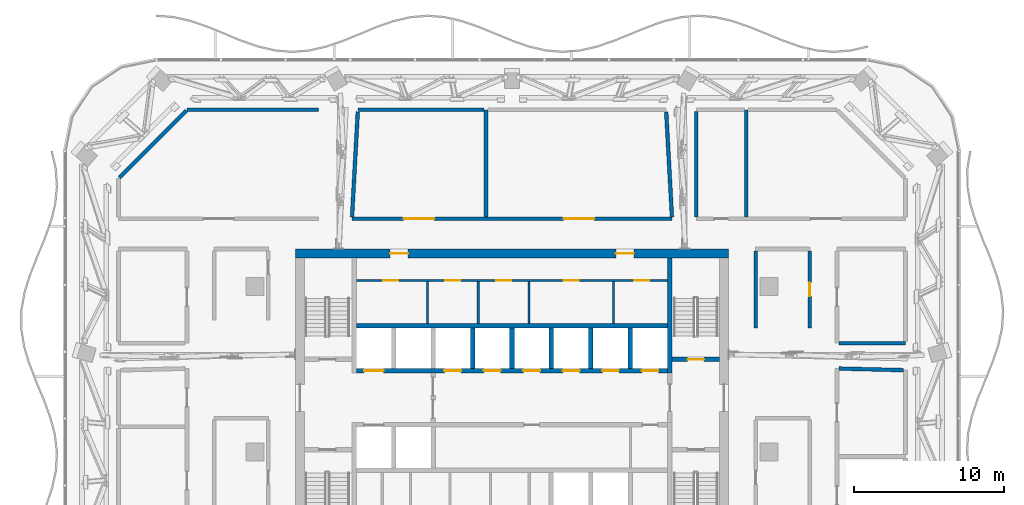
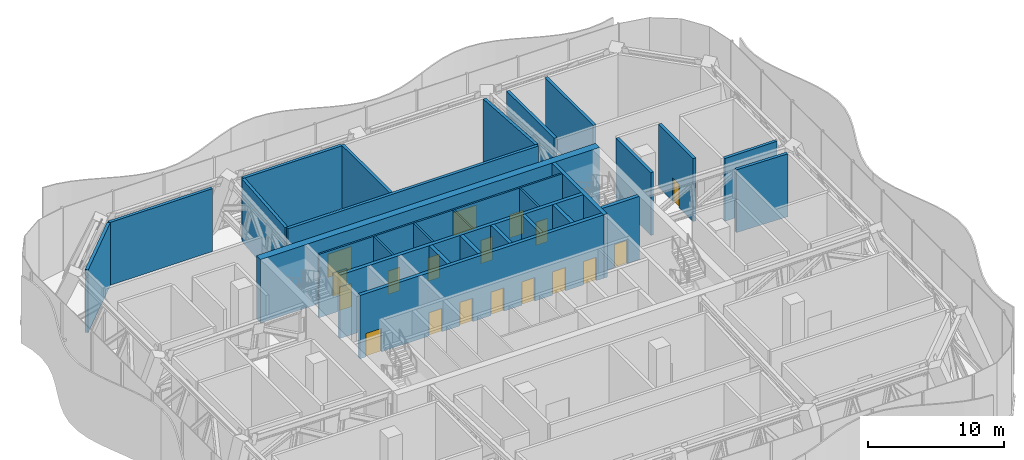
# One storey, part 13 of 29: 28 walls, 18 doors, 18 openings.
"""IFC4 building model written with IfcOpenShell, lengths in metres."""

from ifc_helpers import new_model, si_unit, direction, frame, frame_2d, origin, place, context, subcontext, project, spatial, rectangle, extrude, material, layer, layer_set, type_object, element, fill, save


model = new_model("IFC4")

# Units and contexts
model_context = context("Model", 3, precision=1e-05, world=origin(), true_north=direction((0.0, 1.0)))
body_context = subcontext(model_context, "Body", "Model", "MODEL_VIEW")
ifc_project = project(units=[si_unit("LENGTHUNIT", "METRE"), si_unit("AREAUNIT", "SQUARE_METRE"), si_unit("VOLUMEUNIT", "CUBIC_METRE"), si_unit("PLANEANGLEUNIT", "RADIAN"), si_unit("MASSUNIT", "GRAM", prefix="KILO")], contexts=[model_context])

# Site, building, storey
site_placement = place(None, origin())
site = spatial("IfcSite", under=ifc_project, at=site_placement, CompositionType="ELEMENT")
building_placement = place(site_placement, origin())
building = spatial("IfcBuilding", under=site, at=building_placement, Name="Mopane Tessera Tower", CompositionType="ELEMENT")
storey_placement = place(building_placement, frame((0.0, 0.0, 315.39990234375)))
storey = spatial("IfcBuildingStorey", under=building, at=storey_placement, Name="L69", CompositionType="ELEMENT", Elevation=315.39990234375)

# Walls
ifc_material_1 = material(Name="Fire-rated gypsum board partition")
ifc_layer_1 = layer(ifc_material_1, 0.14990234375)
ifc_layer_set_1 = layer_set([ifc_layer_1], Name="Fire-rated gypsum board partition")
wall_type_1 = type_object("IfcWallType", Name="Core room partition 150 mm", PredefinedType="PARTITIONING", material=ifc_layer_set_1)
for number, where, z_axis, x_axis, name in (
    (1, (-5.625, 8.550048828125, 0.0), (0.0, 0.0, 1.0), (0.0, 1.0, 0.0), "L69 Room partition"),
    (2, (-2.25, 8.550048828125, 0.0), (0.0, 0.0, 1.0), (0.0, 1.0, 0.0), "L69 Room partition"),
    (3, (1.125, 8.550048828125, 0.0), (0.0, 0.0, 1.0), (0.0, 1.0, 0.0), "L69 Room partition"),
    (4, (6.75, 8.550048828125, 0.0), (0.0, 0.0, 1.0), (0.0, 1.0, 0.0), "L69 Room partition"),
):
    element("IfcWall", number, at=place(storey_placement, frame(where, z_axis=z_axis, x_axis=x_axis)), inside=storey, type_object=wall_type_1, Name=name, PredefinedType="PARTITIONING", context=body_context, shape_type="SweptSolid", body=[
        extrude(rectangle(XDim=2.77490234375, YDim=0.14990234375, at=frame_2d((1.387451171875, 0.0))), origin(), (0.0, 0.0, 1.0), 5.7001953125),
    ])

# Wall, openings, doors
wall_1_placement = place(storey_placement, frame((-10.35009765625, 11.39990234375, 0.0), z_axis=(0.0, 0.0, 1.0), x_axis=(1.0, 0.0, 0.0)))
wall_1 = element("IfcWall", 5, at=wall_1_placement, inside=storey, type_object=wall_type_1, Name="L69 Corridor wall", PredefinedType="PARTITIONING", context=body_context, shape_type="SweptSolid", body=[
    extrude(rectangle(XDim=20.7001953125, YDim=0.14990234375, at=frame_2d((10.35009765625, 0.0))), origin(), (0.0, 0.0, 1.0), 5.7001953125),
])
opening_1_placement = place(wall_1_placement, frame((1.78759765625, 0.0, 0.0)))
opening_1 = element("IfcOpeningElement", 6, at=opening_1_placement, cuts=wall_1, Name="Opening RD1", PredefinedType="OPENING", context=body_context, shape_type="SweptSolid", body=[
    extrude(rectangle(XDim=1.0, YDim=2.10009765625, at=frame_2d((0.5, 1.050048828125))), frame((0.0, 0.0869140625, 0.0), z_axis=(0.0, -1.0, 0.0), x_axis=(1.0, 0.0, 0.0)), (0.0, 0.0, 1.0), 0.173828125),
])
opening_2_placement = place(wall_1_placement, frame((5.91259765625, 0.0, 0.0)))
opening_2 = element("IfcOpeningElement", 7, at=opening_2_placement, cuts=wall_1, Name="Opening RD1", PredefinedType="OPENING", context=body_context, shape_type="SweptSolid", body=[
    extrude(rectangle(XDim=1.0, YDim=2.10009765625, at=frame_2d((0.5, 1.050048828125))), frame((0.0, 0.0869140625, 0.0), z_axis=(0.0, -1.0, 0.0), x_axis=(1.0, 0.0, 0.0)), (0.0, 0.0, 1.0), 0.173828125),
])
opening_3_placement = place(wall_1_placement, frame((9.28759765625, 0.0, 0.0)))
opening_3 = element("IfcOpeningElement", 8, at=opening_3_placement, cuts=wall_1, Name="Opening RD1", PredefinedType="OPENING", context=body_context, shape_type="SweptSolid", body=[
    extrude(rectangle(XDim=1.0, YDim=2.10009765625, at=frame_2d((0.5, 1.050048828125))), frame((0.0, 0.0869140625, 0.0), z_axis=(0.0, -1.0, 0.0), x_axis=(1.0, 0.0, 0.0)), (0.0, 0.0, 1.0), 0.173828125),
])
opening_4_placement = place(wall_1_placement, frame((13.78759765625, 0.0, 0.0)))
opening_4 = element("IfcOpeningElement", 9, at=opening_4_placement, cuts=wall_1, Name="Opening RD1", PredefinedType="OPENING", context=body_context, shape_type="SweptSolid", body=[
    extrude(rectangle(XDim=1.0, YDim=2.10009765625, at=frame_2d((0.5, 1.050048828125))), frame((0.0, 0.0869140625, 0.0), z_axis=(0.0, -1.0, 0.0), x_axis=(1.0, 0.0, 0.0)), (0.0, 0.0, 1.0), 0.173828125),
])
opening_5_placement = place(wall_1_placement, frame((18.47509765625, 0.0, 0.0)))
opening_5 = element("IfcOpeningElement", 10, at=opening_5_placement, cuts=wall_1, Name="Opening RD1", PredefinedType="OPENING", context=body_context, shape_type="SweptSolid", body=[
    extrude(rectangle(XDim=1.0, YDim=2.10009765625, at=frame_2d((0.5, 1.050048828125))), frame((0.0, 0.0869140625, 0.0), z_axis=(0.0, -1.0, 0.0), x_axis=(1.0, 0.0, 0.0)), (0.0, 0.0, 1.0), 0.173828125),
])
ifc_material_2 = material(Name="Timber door", Category="wood")
door_type_1 = type_object("IfcDoorType", Name="Core room door 1000 x 2100", OperationType="SINGLE_SWING_LEFT", PredefinedType="DOOR", material=ifc_material_2)
door_1_placement = place(opening_1_placement, origin())
door_1 = element("IfcDoor", 11, at=door_1_placement, inside=storey, type_object=door_type_1, Name="L69 Room door", OperationType="SINGLE_SWING_LEFT", OverallHeight=2.10009765625, OverallWidth=1.0, PredefinedType="DOOR", context=body_context, shape_type="SweptSolid", body=[
    extrude(rectangle(XDim=1.0, YDim=2.10009765625, at=frame_2d((0.5, 1.050048828125))), frame((0.0, 0.02490234375, 0.0), z_axis=(0.0, -1.0, 0.0), x_axis=(1.0, 0.0, 0.0)), (0.0, 0.0, 1.0), 0.050048828125),
])
fill(opening_1, door_1)
door_2_placement = place(opening_2_placement, origin())
door_2 = element("IfcDoor", 12, at=door_2_placement, inside=storey, type_object=door_type_1, Name="L69 Room door", OperationType="SINGLE_SWING_LEFT", OverallHeight=2.10009765625, OverallWidth=1.0, PredefinedType="DOOR", context=body_context, shape_type="SweptSolid", body=[
    extrude(rectangle(XDim=1.0, YDim=2.10009765625, at=frame_2d((0.5, 1.050048828125))), frame((0.0, 0.02490234375, 0.0), z_axis=(0.0, -1.0, 0.0), x_axis=(1.0, 0.0, 0.0)), (0.0, 0.0, 1.0), 0.050048828125),
])
fill(opening_2, door_2)
door_3_placement = place(opening_3_placement, origin())
door_3 = element("IfcDoor", 13, at=door_3_placement, inside=storey, type_object=door_type_1, Name="L69 Room door", OperationType="SINGLE_SWING_LEFT", OverallHeight=2.10009765625, OverallWidth=1.0, PredefinedType="DOOR", context=body_context, shape_type="SweptSolid", body=[
    extrude(rectangle(XDim=1.0, YDim=2.10009765625, at=frame_2d((0.5, 1.050048828125))), frame((0.0, 0.02490234375, 0.0), z_axis=(0.0, -1.0, 0.0), x_axis=(1.0, 0.0, 0.0)), (0.0, 0.0, 1.0), 0.050048828125),
])
fill(opening_3, door_3)
door_4_placement = place(opening_4_placement, origin())
door_4 = element("IfcDoor", 14, at=door_4_placement, inside=storey, type_object=door_type_1, Name="L69 Room door", OperationType="SINGLE_SWING_LEFT", OverallHeight=2.10009765625, OverallWidth=1.0, PredefinedType="DOOR", context=body_context, shape_type="SweptSolid", body=[
    extrude(rectangle(XDim=1.0, YDim=2.10009765625, at=frame_2d((0.5, 1.050048828125))), frame((0.0, 0.02490234375, 0.0), z_axis=(0.0, -1.0, 0.0), x_axis=(1.0, 0.0, 0.0)), (0.0, 0.0, 1.0), 0.050048828125),
])
fill(opening_4, door_4)
door_5_placement = place(opening_5_placement, origin())
door_5 = element("IfcDoor", 15, at=door_5_placement, inside=storey, type_object=door_type_1, Name="L69 Room door", OperationType="SINGLE_SWING_LEFT", OverallHeight=2.10009765625, OverallWidth=1.0, PredefinedType="DOOR", context=body_context, shape_type="SweptSolid", body=[
    extrude(rectangle(XDim=1.0, YDim=2.10009765625, at=frame_2d((0.5, 1.050048828125))), frame((0.0, 0.02490234375, 0.0), z_axis=(0.0, -1.0, 0.0), x_axis=(1.0, 0.0, 0.0)), (0.0, 0.0, 1.0), 0.050048828125),
])
fill(opening_5, door_5)

ifc_material_3 = material(Name="Concrete C70/85", Category="concrete")
ifc_layer_2 = layer(ifc_material_3, 0.60009765625)
ifc_layer_set_2 = layer_set([ifc_layer_2], Name="Concrete C70/85")
wall_type_2 = type_object("IfcWallType", Name="Core shear wall 600 mm", PredefinedType="SHEAR", material=ifc_layer_set_2)
wall_2_placement = place(storey_placement, frame((-14.39990234375, 13.199951171875, 0.0), z_axis=(0.0, 0.0, 1.0), x_axis=(1.0, 0.0, 0.0)))
wall_2 = element("IfcWall", 16, at=wall_2_placement, inside=storey, type_object=wall_type_2, Name="L69 Core wall north", PredefinedType="SHEAR", context=body_context, shape_type="SweptSolid", body=[
    extrude(rectangle(XDim=28.7998046875, YDim=0.60009765625, at=frame_2d((14.39990234375, 0.0))), origin(), (0.0, 0.0, 1.0), 5.7001953125),
])
opening_6_placement = place(wall_2_placement, frame((6.300048828125, 0.0, 0.0)))
opening_6 = element("IfcOpeningElement", 17, at=opening_6_placement, cuts=wall_2, Name="Opening RD2", PredefinedType="OPENING", context=body_context, shape_type="SweptSolid", body=[
    extrude(rectangle(XDim=1.199951171875, YDim=2.10009765625, at=frame_2d((0.60009765625, 1.050048828125))), frame((0.0, 0.31201171875, 0.0), z_axis=(0.0, -1.0, 0.0), x_axis=(1.0, 0.0, 0.0)), (0.0, 0.0, 1.0), 0.6240234375),
])
opening_7_placement = place(wall_2_placement, frame((21.300048828125, 0.0, 0.0)))
opening_7 = element("IfcOpeningElement", 18, at=opening_7_placement, cuts=wall_2, Name="Opening RD2", PredefinedType="OPENING", context=body_context, shape_type="SweptSolid", body=[
    extrude(rectangle(XDim=1.199951171875, YDim=2.10009765625, at=frame_2d((0.60009765625, 1.050048828125))), frame((0.0, 0.31201171875, 0.0), z_axis=(0.0, -1.0, 0.0), x_axis=(1.0, 0.0, 0.0)), (0.0, 0.0, 1.0), 0.6240234375),
])
ifc_material_4 = material(Name="Timber door", Category="wood")
door_type_2 = type_object("IfcDoorType", Name="Core corridor door 1200 x 2100", OperationType="SINGLE_SWING_LEFT", PredefinedType="DOOR", material=ifc_material_4)
door_6_placement = place(opening_6_placement, origin())
door_6 = element("IfcDoor", 19, at=door_6_placement, inside=storey, type_object=door_type_2, Name="L69 Corridor door", OperationType="SINGLE_SWING_LEFT", OverallHeight=2.10009765625, OverallWidth=1.199951171875, PredefinedType="DOOR", context=body_context, shape_type="SweptSolid", body=[
    extrude(rectangle(XDim=1.199951171875, YDim=2.10009765625, at=frame_2d((0.60009765625, 1.050048828125))), frame((0.0, 0.02490234375, 0.0), z_axis=(0.0, -1.0, 0.0), x_axis=(1.0, 0.0, 0.0)), (0.0, 0.0, 1.0), 0.050048828125),
])
fill(opening_6, door_6)
door_7_placement = place(opening_7_placement, origin())
door_7 = element("IfcDoor", 20, at=door_7_placement, inside=storey, type_object=door_type_2, Name="L69 Corridor door", OperationType="SINGLE_SWING_RIGHT", OverallHeight=2.10009765625, OverallWidth=1.199951171875, PredefinedType="DOOR", context=body_context, shape_type="SweptSolid", body=[
    extrude(rectangle(XDim=1.199951171875, YDim=2.10009765625, at=frame_2d((0.60009765625, 1.050048828125))), frame((0.0, 0.02490234375, 0.0), z_axis=(0.0, -1.0, 0.0), x_axis=(1.0, 0.0, 0.0)), (0.0, 0.0, 1.0), 0.050048828125),
])
fill(opening_7, door_7)

# Wall
ifc_material_5 = material(Name="Concrete C60/75", Category="concrete")
ifc_layer_3 = layer(ifc_material_5, 0.300048828125)
ifc_layer_set_3 = layer_set([ifc_layer_3], Name="Concrete C60/75")
wall_type_3 = type_object("IfcWallType", Name="Core spine wall 300 mm", PredefinedType="SHEAR", material=ifc_layer_set_3)
wall_3_placement = place(storey_placement, frame((10.5, 5.25, 0.0), z_axis=(0.0, 0.0, 1.0), x_axis=(0.0, 1.0, 0.0)))
element("IfcWall", 21, at=wall_3_placement, inside=storey, type_object=wall_type_3, Name="L69 Core spine wall", PredefinedType="SHEAR", context=body_context, shape_type="SweptSolid", body=[
    extrude(rectangle(XDim=7.64990234375, YDim=0.300048828125, at=frame_2d((3.824951171875, 0.0))), origin(), (0.0, 0.0, 1.0), 5.7001953125),
])

# Wall, opening, door
ifc_material_6 = material(Name="Concrete C50/60", Category="concrete")
ifc_layer_4 = layer(ifc_material_6, 0.300048828125)
ifc_layer_set_4 = layer_set([ifc_layer_4], Name="Concrete C50/60")
wall_type_4 = type_object("IfcWallType", Name="Lift and stair shaft wall 300 mm", PredefinedType="SOLIDWALL", material=ifc_layer_set_4)
wall_4_placement = place(storey_placement, frame((10.64990234375, 6.14990234375, 0.0), z_axis=(0.0, 0.0, 1.0), x_axis=(1.0, 0.0, 0.0)))
wall_4 = element("IfcWall", 22, at=wall_4_placement, inside=storey, type_object=wall_type_4, Name="L69 Stair enclosure wall", PredefinedType="SOLIDWALL", context=body_context, shape_type="SweptSolid", body=[
    extrude(rectangle(XDim=3.150146484375, YDim=0.300048828125, at=frame_2d((1.5751953125, 0.0))), origin(), (0.0, 0.0, 1.0), 5.7001953125),
])
opening_8_placement = place(wall_4_placement, frame((1.02490234375, 0.0, 0.0)))
opening_8 = element("IfcOpeningElement", 23, at=opening_8_placement, cuts=wall_4, Name="Opening SD1", PredefinedType="OPENING", context=body_context, shape_type="SweptSolid", body=[
    extrude(rectangle(XDim=1.10009765625, YDim=2.10009765625, at=frame_2d((0.550048828125, 1.050048828125))), frame((0.0, 0.162109375, 0.0), z_axis=(0.0, -1.0, 0.0), x_axis=(1.0, 0.0, 0.0)), (0.0, 0.0, 1.0), 0.323974609375),
])
ifc_material_7 = material(Name="Steel fire door", Category="steel")
door_type_3 = type_object("IfcDoorType", Name="Stair fire door 1100 x 2100", OperationType="SINGLE_SWING_LEFT", PredefinedType="DOOR", material=ifc_material_7)
door_8_placement = place(opening_8_placement, origin())
door_8 = element("IfcDoor", 24, at=door_8_placement, inside=storey, type_object=door_type_3, Name="L69 Stair door ST4", OperationType="SINGLE_SWING_RIGHT", OverallHeight=2.10009765625, OverallWidth=1.10009765625, PredefinedType="DOOR", context=body_context, shape_type="SweptSolid", body=[
    extrude(rectangle(XDim=1.10009765625, YDim=2.10009765625, at=frame_2d((0.550048828125, 1.050048828125))), frame((0.0, 0.02490234375, 0.0), z_axis=(0.0, -1.0, 0.0), x_axis=(1.0, 0.0, 0.0)), (0.0, 0.0, 1.0), 0.050048828125),
])
fill(opening_8, door_8)

# Wall, openings, doors
wall_5_placement = place(storey_placement, frame((-10.35009765625, 5.39990234375, 0.0), z_axis=(0.0, 0.0, 1.0), x_axis=(1.0, 0.0, 0.0)))
wall_5 = element("IfcWall", 25, at=wall_5_placement, inside=storey, type_object=wall_type_4, Name="L69 Lift shaft front wall", PredefinedType="SOLIDWALL", context=body_context, shape_type="SweptSolid", body=[
    extrude(rectangle(XDim=20.7001953125, YDim=0.300048828125, at=frame_2d((10.35009765625, 0.0))), origin(), (0.0, 0.0, 1.0), 5.7001953125),
])
opening_9_placement = place(wall_5_placement, frame((0.512451171875, 0.0, 0.0)))
opening_9 = element("IfcOpeningElement", 26, at=opening_9_placement, cuts=wall_5, Name="Opening LD2", PredefinedType="OPENING", context=body_context, shape_type="SweptSolid", body=[
    extrude(rectangle(XDim=1.300048828125, YDim=2.10009765625, at=frame_2d((0.64990234375, 1.050048828125))), frame((0.0, 0.162109375, 0.0), z_axis=(0.0, -1.0, 0.0), x_axis=(1.0, 0.0, 0.0)), (0.0, 0.0, 1.0), 0.323974609375),
])
opening_10_placement = place(wall_5_placement, frame((5.862548828125, 0.0, 0.0)))
opening_10 = element("IfcOpeningElement", 27, at=opening_10_placement, cuts=wall_5, Name="Opening LD", PredefinedType="OPENING", context=body_context, shape_type="SweptSolid", body=[
    extrude(rectangle(XDim=1.10009765625, YDim=2.10009765625, at=frame_2d((0.550048828125, 1.050048828125))), frame((0.0, 0.162109375, 0.0), z_axis=(0.0, -1.0, 0.0), x_axis=(1.0, 0.0, 0.0)), (0.0, 0.0, 1.0), 0.323974609375),
])
opening_11_placement = place(wall_5_placement, frame((8.487548828125, 0.0, 0.0)))
opening_11 = element("IfcOpeningElement", 28, at=opening_11_placement, cuts=wall_5, Name="Opening LD", PredefinedType="OPENING", context=body_context, shape_type="SweptSolid", body=[
    extrude(rectangle(XDim=1.10009765625, YDim=2.10009765625, at=frame_2d((0.550048828125, 1.050048828125))), frame((0.0, 0.162109375, 0.0), z_axis=(0.0, -1.0, 0.0), x_axis=(1.0, 0.0, 0.0)), (0.0, 0.0, 1.0), 0.323974609375),
])
opening_12_placement = place(wall_5_placement, frame((11.112548828125, 0.0, 0.0)))
opening_12 = element("IfcOpeningElement", 29, at=opening_12_placement, cuts=wall_5, Name="Opening LD", PredefinedType="OPENING", context=body_context, shape_type="SweptSolid", body=[
    extrude(rectangle(XDim=1.10009765625, YDim=2.10009765625, at=frame_2d((0.550048828125, 1.050048828125))), frame((0.0, 0.162109375, 0.0), z_axis=(0.0, -1.0, 0.0), x_axis=(1.0, 0.0, 0.0)), (0.0, 0.0, 1.0), 0.323974609375),
])
opening_13_placement = place(wall_5_placement, frame((13.737548828125, 0.0, 0.0)))
opening_13 = element("IfcOpeningElement", 30, at=opening_13_placement, cuts=wall_5, Name="Opening LD", PredefinedType="OPENING", context=body_context, shape_type="SweptSolid", body=[
    extrude(rectangle(XDim=1.10009765625, YDim=2.10009765625, at=frame_2d((0.550048828125, 1.050048828125))), frame((0.0, 0.162109375, 0.0), z_axis=(0.0, -1.0, 0.0), x_axis=(1.0, 0.0, 0.0)), (0.0, 0.0, 1.0), 0.323974609375),
])
opening_14_placement = place(wall_5_placement, frame((16.362548828125, 0.0, 0.0)))
opening_14 = element("IfcOpeningElement", 31, at=opening_14_placement, cuts=wall_5, Name="Opening LD", PredefinedType="OPENING", context=body_context, shape_type="SweptSolid", body=[
    extrude(rectangle(XDim=1.10009765625, YDim=2.10009765625, at=frame_2d((0.550048828125, 1.050048828125))), frame((0.0, 0.162109375, 0.0), z_axis=(0.0, -1.0, 0.0), x_axis=(1.0, 0.0, 0.0)), (0.0, 0.0, 1.0), 0.323974609375),
])
opening_15_placement = place(wall_5_placement, frame((18.987548828125, 0.0, 0.0)))
opening_15 = element("IfcOpeningElement", 32, at=opening_15_placement, cuts=wall_5, Name="Opening LD", PredefinedType="OPENING", context=body_context, shape_type="SweptSolid", body=[
    extrude(rectangle(XDim=1.10009765625, YDim=2.10009765625, at=frame_2d((0.550048828125, 1.050048828125))), frame((0.0, 0.162109375, 0.0), z_axis=(0.0, -1.0, 0.0), x_axis=(1.0, 0.0, 0.0)), (0.0, 0.0, 1.0), 0.323974609375),
])
ifc_material_8 = material(Name="Stainless steel sliding door", Category="steel")
door_type_4 = type_object("IfcDoorType", Name="Fire-fighting lift landing door 1300 x 2100", OperationType="DOUBLE_DOOR_SLIDING", PredefinedType="DOOR", material=ifc_material_8)
door_9_placement = place(opening_9_placement, origin())
door_9 = element("IfcDoor", 33, at=door_9_placement, inside=storey, type_object=door_type_4, Name="L69 Lift landing door FF2", OperationType="DOUBLE_DOOR_SLIDING", OverallHeight=2.10009765625, OverallWidth=1.300048828125, PredefinedType="DOOR", context=body_context, shape_type="SweptSolid", body=[
    extrude(rectangle(XDim=1.300048828125, YDim=2.10009765625, at=frame_2d((0.64990234375, 1.050048828125))), frame((0.0, 0.02490234375, 0.0), z_axis=(0.0, -1.0, 0.0), x_axis=(1.0, 0.0, 0.0)), (0.0, 0.0, 1.0), 0.050048828125),
])
fill(opening_9, door_9)
ifc_material_9 = material(Name="Stainless steel sliding door", Category="steel")
door_type_5 = type_object("IfcDoorType", Name="Lift landing door 1100 x 2100", OperationType="DOUBLE_DOOR_SLIDING", PredefinedType="DOOR", material=ifc_material_9)
door_10_placement = place(opening_10_placement, origin())
door_10 = element("IfcDoor", 34, at=door_10_placement, inside=storey, type_object=door_type_5, Name="L69 Lift landing door HR1", OperationType="DOUBLE_DOOR_SLIDING", OverallHeight=2.10009765625, OverallWidth=1.10009765625, PredefinedType="DOOR", context=body_context, shape_type="SweptSolid", body=[
    extrude(rectangle(XDim=1.10009765625, YDim=2.10009765625, at=frame_2d((0.550048828125, 1.050048828125))), frame((0.0, 0.02490234375, 0.0), z_axis=(0.0, -1.0, 0.0), x_axis=(1.0, 0.0, 0.0)), (0.0, 0.0, 1.0), 0.050048828125),
])
fill(opening_10, door_10)
door_11_placement = place(opening_11_placement, origin())
door_11 = element("IfcDoor", 35, at=door_11_placement, inside=storey, type_object=door_type_5, Name="L69 Lift landing door HR2", OperationType="DOUBLE_DOOR_SLIDING", OverallHeight=2.10009765625, OverallWidth=1.10009765625, PredefinedType="DOOR", context=body_context, shape_type="SweptSolid", body=[
    extrude(rectangle(XDim=1.10009765625, YDim=2.10009765625, at=frame_2d((0.550048828125, 1.050048828125))), frame((0.0, 0.02490234375, 0.0), z_axis=(0.0, -1.0, 0.0), x_axis=(1.0, 0.0, 0.0)), (0.0, 0.0, 1.0), 0.050048828125),
])
fill(opening_11, door_11)
door_12_placement = place(opening_12_placement, origin())
door_12 = element("IfcDoor", 36, at=door_12_placement, inside=storey, type_object=door_type_5, Name="L69 Lift landing door HR3", OperationType="DOUBLE_DOOR_SLIDING", OverallHeight=2.10009765625, OverallWidth=1.10009765625, PredefinedType="DOOR", context=body_context, shape_type="SweptSolid", body=[
    extrude(rectangle(XDim=1.10009765625, YDim=2.10009765625, at=frame_2d((0.550048828125, 1.050048828125))), frame((0.0, 0.02490234375, 0.0), z_axis=(0.0, -1.0, 0.0), x_axis=(1.0, 0.0, 0.0)), (0.0, 0.0, 1.0), 0.050048828125),
])
fill(opening_12, door_12)
door_13_placement = place(opening_13_placement, origin())
door_13 = element("IfcDoor", 37, at=door_13_placement, inside=storey, type_object=door_type_5, Name="L69 Lift landing door HR4", OperationType="DOUBLE_DOOR_SLIDING", OverallHeight=2.10009765625, OverallWidth=1.10009765625, PredefinedType="DOOR", context=body_context, shape_type="SweptSolid", body=[
    extrude(rectangle(XDim=1.10009765625, YDim=2.10009765625, at=frame_2d((0.550048828125, 1.050048828125))), frame((0.0, 0.02490234375, 0.0), z_axis=(0.0, -1.0, 0.0), x_axis=(1.0, 0.0, 0.0)), (0.0, 0.0, 1.0), 0.050048828125),
])
fill(opening_13, door_13)
door_14_placement = place(opening_14_placement, origin())
door_14 = element("IfcDoor", 38, at=door_14_placement, inside=storey, type_object=door_type_5, Name="L69 Lift landing door HR5", OperationType="DOUBLE_DOOR_SLIDING", OverallHeight=2.10009765625, OverallWidth=1.10009765625, PredefinedType="DOOR", context=body_context, shape_type="SweptSolid", body=[
    extrude(rectangle(XDim=1.10009765625, YDim=2.10009765625, at=frame_2d((0.550048828125, 1.050048828125))), frame((0.0, 0.02490234375, 0.0), z_axis=(0.0, -1.0, 0.0), x_axis=(1.0, 0.0, 0.0)), (0.0, 0.0, 1.0), 0.050048828125),
])
fill(opening_14, door_14)
door_15_placement = place(opening_15_placement, origin())
door_15 = element("IfcDoor", 39, at=door_15_placement, inside=storey, type_object=door_type_5, Name="L69 Lift landing door HR6", OperationType="DOUBLE_DOOR_SLIDING", OverallHeight=2.10009765625, OverallWidth=1.10009765625, PredefinedType="DOOR", context=body_context, shape_type="SweptSolid", body=[
    extrude(rectangle(XDim=1.10009765625, YDim=2.10009765625, at=frame_2d((0.550048828125, 1.050048828125))), frame((0.0, 0.02490234375, 0.0), z_axis=(0.0, -1.0, 0.0), x_axis=(1.0, 0.0, 0.0)), (0.0, 0.0, 1.0), 0.050048828125),
])
fill(opening_15, door_15)

# Walls
wall_6_placement = place(storey_placement, frame((-10.35009765625, 8.39990234375, 0.0), z_axis=(0.0, 0.0, 1.0), x_axis=(1.0, 0.0, 0.0)))
element("IfcWall", 40, at=wall_6_placement, inside=storey, type_object=wall_type_4, Name="L69 Lift shaft rear wall", PredefinedType="SOLIDWALL", context=body_context, shape_type="SweptSolid", body=[
    extrude(rectangle(XDim=20.7001953125, YDim=0.300048828125, at=frame_2d((10.35009765625, 0.0))), origin(), (0.0, 0.0, 1.0), 5.7001953125),
])
for number, where, z_axis, x_axis, name in (
    (41, (-2.625, 5.550048828125, 0.0), (0.0, 0.0, 1.0), (0.0, 1.0, 0.0), "L69 Lift shaft wall"),
    (42, (0.0, 5.550048828125, 0.0), (0.0, 0.0, 1.0), (0.0, 1.0, 0.0), "L69 Lift shaft wall"),
    (43, (2.625, 5.550048828125, 0.0), (0.0, 0.0, 1.0), (0.0, 1.0, 0.0), "L69 Lift shaft wall"),
    (44, (5.25, 5.550048828125, 0.0), (0.0, 0.0, 1.0), (0.0, 1.0, 0.0), "L69 Lift shaft wall"),
    (45, (7.875, 5.550048828125, 0.0), (0.0, 0.0, 1.0), (0.0, 1.0, 0.0), "L69 Lift shaft wall"),
):
    element("IfcWall", number, at=place(storey_placement, frame(where, z_axis=z_axis, x_axis=x_axis)), inside=storey, type_object=wall_type_4, Name=name, PredefinedType="SOLIDWALL", context=body_context, shape_type="SweptSolid", body=[
        extrude(rectangle(XDim=2.699951171875, YDim=0.300048828125, at=frame_2d((1.35009765625, 0.0))), origin(), (0.0, 0.0, 1.0), 5.7001953125),
    ])
ifc_material_10 = material(Name="Plastered concrete blockwork C20/25", Category="masonry")
ifc_layer_5 = layer(ifc_material_10, 0.25)
ifc_layer_set_5 = layer_set([ifc_layer_5], Name="Plastered concrete blockwork C20/25")
wall_type_5 = type_object("IfcWallType", Name="Plastered blockwork wall 250, rated EI 120", PredefinedType="PARTITIONING", material=ifc_layer_set_5)
wall_7_placement = place(storey_placement, frame((21.72509765625, 7.22998046875, 0.0), z_axis=(0.0, 0.0, 1.0), x_axis=(1.0, 0.0, 0.0)))
element("IfcWall", 46, at=wall_7_placement, inside=storey, type_object=wall_type_5, Name="Partition L69:020", PredefinedType="PARTITIONING", context=body_context, shape_type="SweptSolid", body=[
    extrude(rectangle(XDim=4.434814453125, YDim=0.25, at=frame_2d((2.21728515625, 0.0))), origin(), (0.0, 0.0, 1.0), 5.650146484375),
])

# Wall, openings, doors
wall_8_placement = place(storey_placement, frame((-10.639892578125, 15.5, 0.0), z_axis=(0.0, 0.0, 1.0), x_axis=(1.0, 0.0, 0.0)))
wall_8 = element("IfcWall", 47, at=wall_8_placement, inside=storey, type_object=wall_type_5, Name="Partition L69:026", PredefinedType="PARTITIONING", context=body_context, shape_type="SweptSolid", body=[
    extrude(rectangle(XDim=21.27978515625, YDim=0.25, at=frame_2d((10.639892578125, 0.0))), origin(), (0.0, 0.0, 1.0), 5.650146484375),
])
opening_16_placement = place(wall_8_placement, frame((3.455078125, 0.0, 0.0)))
opening_16 = element("IfcOpeningElement", 48, at=opening_16_placement, cuts=wall_8, Name="Opening L69-11", PredefinedType="OPENING", context=body_context, shape_type="SweptSolid", body=[
    extrude(rectangle(XDim=2.0, YDim=2.10009765625, at=frame_2d((1.0, 1.050048828125))), frame((0.0, 0.136962890625, 0.0), z_axis=(0.0, -1.0, 0.0), x_axis=(1.0, 0.0, 0.0)), (0.0, 0.0, 1.0), 0.27392578125),
])
opening_17_placement = place(wall_8_placement, frame((14.094970703125, 0.0, 0.0)))
opening_17 = element("IfcOpeningElement", 49, at=opening_17_placement, cuts=wall_8, Name="Opening L69-21", PredefinedType="OPENING", context=body_context, shape_type="SweptSolid", body=[
    extrude(rectangle(XDim=2.0, YDim=2.10009765625, at=frame_2d((1.0, 1.050048828125))), frame((0.0, 0.136962890625, 0.0), z_axis=(0.0, -1.0, 0.0), x_axis=(1.0, 0.0, 0.0)), (0.0, 0.0, 1.0), 0.27392578125),
])
ifc_material_11 = material(Name="Timber veneered steel-framed fire door", Category="steel")
door_type_6 = type_object("IfcDoorType", Name="Fire door pair FD120 2000 x 2100", OperationType="DOUBLE_DOOR_SINGLE_SWING", PredefinedType="DOOR", material=ifc_material_11)
door_16_placement = place(opening_16_placement, origin())
door_16 = element("IfcDoor", 50, at=door_16_placement, inside=storey, type_object=door_type_6, Name="Door L69-11", ObjectType="D25B", OperationType="DOUBLE_DOOR_SINGLE_SWING", OverallHeight=2.10009765625, OverallWidth=2.0, PredefinedType="DOOR", context=body_context, shape_type="SweptSolid", body=[
    extrude(rectangle(XDim=2.0, YDim=2.10009765625, at=frame_2d((1.0, 1.050048828125))), frame((0.0, 0.02490234375, 0.0), z_axis=(0.0, -1.0, 0.0), x_axis=(1.0, 0.0, 0.0)), (0.0, 0.0, 1.0), 0.050048828125),
])
fill(opening_16, door_16)
door_17_placement = place(opening_17_placement, origin())
door_17 = element("IfcDoor", 51, at=door_17_placement, inside=storey, type_object=door_type_6, Name="Door L69-21", ObjectType="D25B", OperationType="DOUBLE_DOOR_SINGLE_SWING", OverallHeight=2.10009765625, OverallWidth=2.0, PredefinedType="DOOR", context=body_context, shape_type="SweptSolid", body=[
    extrude(rectangle(XDim=2.0, YDim=2.10009765625, at=frame_2d((1.0, 1.050048828125))), frame((0.0, 0.02490234375, 0.0), z_axis=(0.0, -1.0, 0.0), x_axis=(1.0, 0.0, 0.0)), (0.0, 0.0, 1.0), 0.050048828125),
])
fill(opening_17, door_17)

# Walls
wall_9_placement = place(storey_placement, frame((-21.594970703125, 22.7451171875, 0.0), z_axis=(0.0, 0.0, 1.0), x_axis=(1.0, 0.0, 0.0)))
element("IfcWall", 52, at=wall_9_placement, inside=storey, type_object=wall_type_5, Name="Partition L69:028", PredefinedType="PARTITIONING", context=body_context, shape_type="SweptSolid", body=[
    extrude(rectangle(XDim=8.739990234375, YDim=0.25, at=frame_2d((4.3701171875, 0.0))), origin(), (0.0, 0.0, 1.0), 5.650146484375),
])
wall_10_placement = place(storey_placement, frame((-10.2451171875, 22.7451171875, 0.0), z_axis=(0.0, 0.0, 1.0), x_axis=(1.0, 0.0, 0.0)))
element("IfcWall", 53, at=wall_10_placement, inside=storey, type_object=wall_type_5, Name="Partition L69:029", PredefinedType="PARTITIONING", context=body_context, shape_type="SweptSolid", body=[
    extrude(rectangle(XDim=8.39013671875, YDim=0.25, at=frame_2d((4.195068359375, 0.0))), origin(), (0.0, 0.0, 1.0), 5.650146484375),
])
wall_11_placement = place(storey_placement, frame((-1.72998046875, 15.625, 0.0), z_axis=(0.0, 0.0, 1.0), x_axis=(0.0, 1.0, 0.0)))
element("IfcWall", 54, at=wall_11_placement, inside=storey, type_object=wall_type_5, Name="Partition L69:049", PredefinedType="PARTITIONING", context=body_context, shape_type="SweptSolid", body=[
    extrude(rectangle(XDim=7.1201171875, YDim=0.25, at=frame_2d((3.56005859375, 0.0))), origin(), (0.0, 0.0, 1.0), 5.650146484375),
])
wall_12_placement = place(storey_placement, frame((12.25, 15.625, 0.0), z_axis=(0.0, 0.0, 1.0), x_axis=(0.0, 1.0, 0.0)))
element("IfcWall", 55, at=wall_12_placement, inside=storey, type_object=wall_type_5, Name="Partition L69:054", PredefinedType="PARTITIONING", context=body_context, shape_type="SweptSolid", body=[
    extrude(rectangle(XDim=6.9951171875, YDim=0.25, at=frame_2d((3.49755859375, 0.0))), origin(), (0.0, 0.0, 1.0), 5.650146484375),
])
wall_13_placement = place(storey_placement, frame((15.56494140625, 15.625, 0.0), z_axis=(0.0, 0.0, 1.0), x_axis=(0.0, 1.0, 0.0)))
element("IfcWall", 56, at=wall_13_placement, inside=storey, type_object=wall_type_5, Name="Partition L69:055", PredefinedType="PARTITIONING", context=body_context, shape_type="SweptSolid", body=[
    extrude(rectangle(XDim=7.1201171875, YDim=0.25, at=frame_2d((3.56005859375, 0.0))), origin(), (0.0, 0.0, 1.0), 5.650146484375),
])
wall_14_placement = place(storey_placement, frame((16.199951171875, 8.25, 0.0), z_axis=(0.0, 0.0, 1.0), x_axis=(0.0, 1.0, 0.0)))
element("IfcWall", 57, at=wall_14_placement, inside=storey, type_object=wall_type_5, Name="Partition L69:057", PredefinedType="PARTITIONING", context=body_context, shape_type="SweptSolid", body=[
    extrude(rectangle(XDim=5.125, YDim=0.25, at=frame_2d((2.5625, 0.0))), origin(), (0.0, 0.0, 1.0), 5.650146484375),
])

# Wall, opening, door
wall_15_placement = place(storey_placement, frame((19.800048828125, 8.25, 0.0), z_axis=(0.0, 0.0, 1.0), x_axis=(0.0, 1.0, 0.0)))
wall_15 = element("IfcWall", 58, at=wall_15_placement, inside=storey, type_object=wall_type_5, Name="Partition L69:059", PredefinedType="PARTITIONING", context=body_context, shape_type="SweptSolid", body=[
    extrude(rectangle(XDim=5.125, YDim=0.25, at=frame_2d((2.5625, 0.0))), origin(), (0.0, 0.0, 1.0), 5.650146484375),
])
opening_18_placement = place(wall_15_placement, frame((2.112548828125, 0.0, 0.0)))
opening_18 = element("IfcOpeningElement", 59, at=opening_18_placement, cuts=wall_15, Name="Opening L69-23", PredefinedType="OPENING", context=body_context, shape_type="SweptSolid", body=[
    extrude(rectangle(XDim=0.89990234375, YDim=2.10009765625, at=frame_2d((0.449951171875, 1.050048828125))), frame((0.0, 0.136962890625, 0.0), z_axis=(0.0, -1.0, 0.0), x_axis=(1.0, 0.0, 0.0)), (0.0, 0.0, 1.0), 0.27392578125),
])
ifc_material_12 = material(Name="Timber veneered steel-framed fire door", Category="steel")
door_type_7 = type_object("IfcDoorType", Name="Fire door FD120 900 x 2100", OperationType="SINGLE_SWING_LEFT", PredefinedType="DOOR", material=ifc_material_12)
door_18_placement = place(opening_18_placement, origin())
door_18 = element("IfcDoor", 60, at=door_18_placement, inside=storey, type_object=door_type_7, Name="Door L69-23", ObjectType="D10B", OperationType="SINGLE_SWING_LEFT", OverallHeight=2.10009765625, OverallWidth=0.89990234375, PredefinedType="DOOR", context=body_context, shape_type="SweptSolid", body=[
    extrude(rectangle(XDim=0.89990234375, YDim=2.10009765625, at=frame_2d((0.449951171875, 1.050048828125))), frame((0.0, 0.02490234375, 0.0), z_axis=(0.0, -1.0, 0.0), x_axis=(1.0, 0.0, 0.0)), (0.0, 0.0, 1.0), 0.050048828125),
])
fill(opening_18, door_18)

# Walls
wall_16_placement = place(storey_placement, frame((21.72998046875, 5.547119140625, 0.0), z_axis=(0.0, 0.0, 1.0), x_axis=(0.999678109138, -0.025370812172, 0.0)))
element("IfcWall", 61, at=wall_16_placement, inside=storey, type_object=wall_type_5, Name="Partition L69:072", PredefinedType="PARTITIONING", context=body_context, shape_type="SweptSolid", body=[
    extrude(rectangle(XDim=4.301513671875, YDim=0.25, at=frame_2d((2.15087890625, 0.0))), origin(), (0.0, 0.0, 1.0), 5.650146484375),
])
wall_17_placement = place(storey_placement, frame((-10.633056640625, 15.6298828125, 0.0), z_axis=(0.0, 0.0, 1.0), x_axis=(0.054478411619, 0.998514948645, 0.0)))
element("IfcWall", 62, at=wall_17_placement, inside=storey, type_object=wall_type_5, Name="Partition L69:075", PredefinedType="PARTITIONING", context=body_context, shape_type="SweptSolid", body=[
    extrude(rectangle(XDim=6.99560546875, YDim=0.25, at=frame_2d((3.497802734375, 0.0))), origin(), (0.0, 0.0, 1.0), 5.650146484375),
])
wall_18_placement = place(storey_placement, frame((-26.10302734375, 18.241943359375, 0.0), z_axis=(0.0, 0.0, 1.0), x_axis=(0.707494747071, 0.706718602321, 0.0)))
element("IfcWall", 63, at=wall_18_placement, inside=storey, type_object=wall_type_5, Name="Partition L69:076", PredefinedType="PARTITIONING", context=body_context, shape_type="SweptSolid", body=[
    extrude(rectangle(XDim=6.291015625, YDim=0.25, at=frame_2d((3.1455078125, 0.0))), origin(), (0.0, 0.0, 1.0), 5.650146484375),
])
wall_19_placement = place(storey_placement, frame((10.251953125, 22.614990234375, 0.0), z_axis=(0.0, 0.0, 1.0), x_axis=(0.054478411619, -0.998514948645, 0.0)))
element("IfcWall", 64, at=wall_19_placement, inside=storey, type_object=wall_type_5, Name="Partition L69:083", PredefinedType="PARTITIONING", context=body_context, shape_type="SweptSolid", body=[
    extrude(rectangle(XDim=6.99560546875, YDim=0.25, at=frame_2d((3.497802734375, 0.0))), origin(), (0.0, 0.0, 1.0), 5.650146484375),
])

save(model, "model.ifc")
